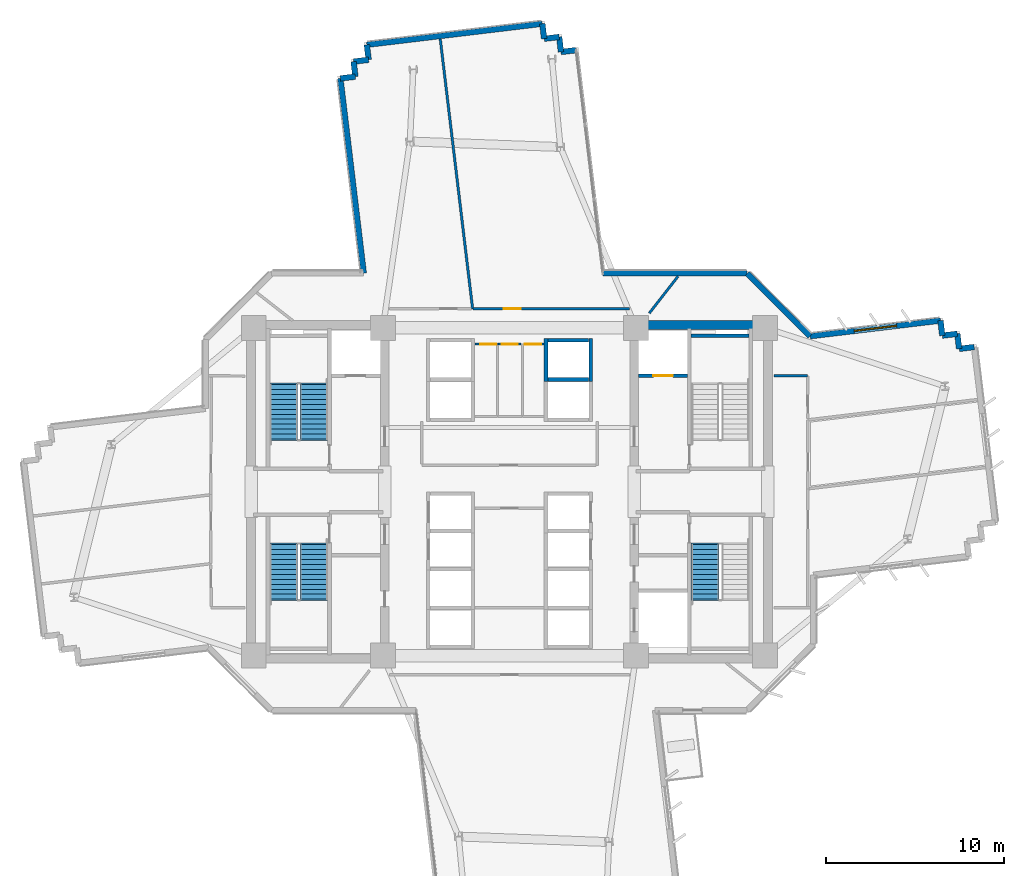
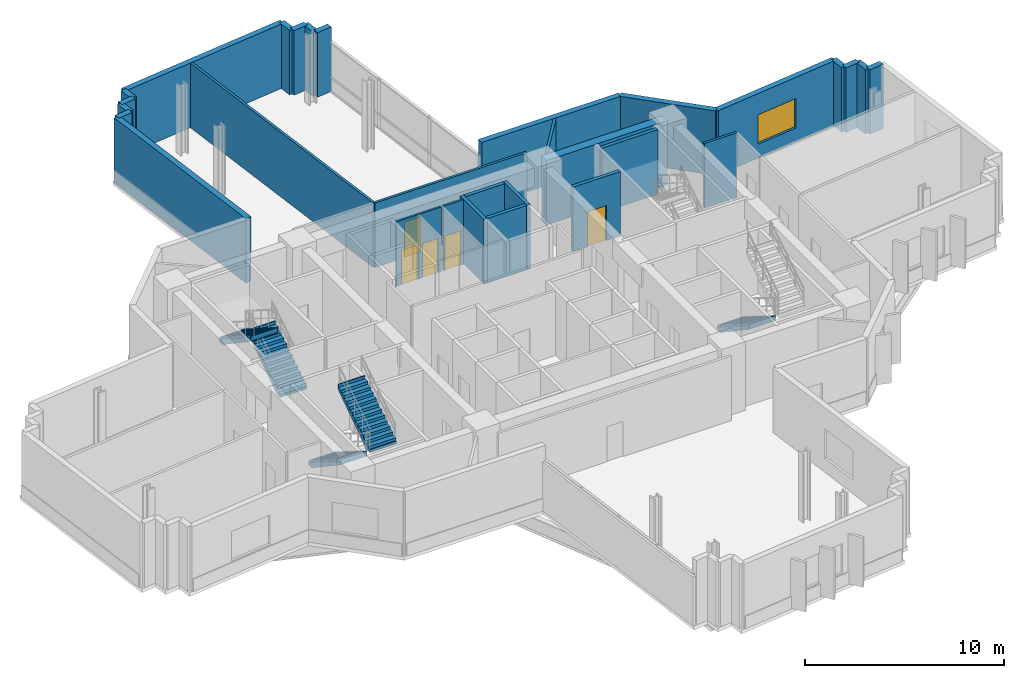
# One storey, part 9 of 15: 31 walls, 5 doors, 5 stair flights, 1 window, 6 openings, 3 elements without a shape of their own.
"""IFC4 building model written with IfcOpenShell, lengths in metres."""

from ifc_helpers import new_model, si_unit, direction, frame, frame_2d, origin, place, context, subcontext, project, spatial, polyline, rectangle, outline, extrude, source, transform, mapped, material, layer, layer_set, type_object, element, fill, aggregate, save


model = new_model("IFC4")

# Units and contexts
model_context = context("Model", 3, precision=1e-05, world=origin(), true_north=direction((0.0, 1.0)))
body_context = subcontext(model_context, "Body", "Model", "MODEL_VIEW")
ifc_project = project(units=[si_unit("LENGTHUNIT", "METRE"), si_unit("AREAUNIT", "SQUARE_METRE"), si_unit("VOLUMEUNIT", "CUBIC_METRE"), si_unit("PLANEANGLEUNIT", "RADIAN"), si_unit("MASSUNIT", "GRAM", prefix="KILO")], contexts=[model_context])

# Site, building, storey
site_placement = place(None, origin())
site = spatial("IfcSite", under=ifc_project, at=site_placement, CompositionType="ELEMENT")
building_placement = place(site_placement, origin())
building = spatial("IfcBuilding", under=site, at=building_placement, Name="Zahravan Cultural Tower", CompositionType="ELEMENT")
storey_placement = place(building_placement, frame((0.0, 0.0, 108.89990234375)))
storey = spatial("IfcBuildingStorey", under=building, at=storey_placement, Name="L24", CompositionType="ELEMENT", Elevation=108.89990234375)

# Wall, opening, window
ifc_material_1 = material(Name="Precast concrete C40/50", Category="concrete")
ifc_layer_1 = layer(ifc_material_1, 0.320068359375)
ifc_layer_set_1 = layer_set([ifc_layer_1], Name="Precast concrete C40/50")
wall_type_1 = type_object("IfcWallType", Name="EW-TC-320", PredefinedType="SOLIDWALL", material=ifc_layer_set_1)
wall_1_placement = place(storey_placement, frame((52.87060546875, 35.7314453125, 0.0), z_axis=(0.0, 0.0, 1.0), x_axis=(0.992882794037, 0.119095580547, 0.0)))
wall_1 = element("IfcWall", 1, at=wall_1_placement, inside=storey, type_object=wall_type_1, Name="L24 Exterior Masonry Frame Wall 01", PredefinedType="SOLIDWALL", context=body_context, shape_type="SweptSolid", body=[
    extrude(rectangle(XDim=7.36962890625, YDim=0.320068359375, at=frame_2d((3.684814453125, 0.0))), origin(), (0.0, 0.0, 1.0), 3.9501953125),
])
opening_1_placement = place(wall_1_placement, frame((2.485107421875, 0.0, 0.85009765625)))
opening_1 = element("IfcOpeningElement", 2, at=opening_1_placement, cuts=wall_1, Name="Opening WN-01", PredefinedType="OPENING", context=body_context, shape_type="SweptSolid", body=[
    extrude(rectangle(XDim=2.39990234375, YDim=1.800048828125, at=frame_2d((1.199951171875, 0.89990234375))), frame((0.0, 0.169921875, 0.0), z_axis=(0.0, -1.0, 0.0), x_axis=(1.0, 0.0, 0.0)), (0.0, 0.0, 1.0), 0.340087890625),
])
ifc_material_2 = material(Name="Low-E solar-control double glazing", Category="glass")
window_type = type_object("IfcWindowType", Name="WN-REC-2400X1800", PartitioningType="DOUBLE_PANEL_VERTICAL", PredefinedType="WINDOW", material=ifc_material_2)
shared_shape_1 = source(origin(), body_context, "Body", "SweptSolid", [
    extrude(rectangle(XDim=2.39990234375, YDim=1.800048828125, at=frame_2d((1.199951171875, 0.89990234375))), frame((0.0, 0.030029296875, 0.0), z_axis=(0.0, -1.0, 0.0), x_axis=(1.0, 0.0, 0.0)), (0.0, 0.0, 1.0), 0.06005859375),
])
window_placement = place(opening_1_placement, origin())
window = element("IfcWindow", 3, at=window_placement, inside=storey, type_object=window_type, Name="L24 Recessed Solar Window 01", OverallHeight=1.800048828125, OverallWidth=2.39990234375, PartitioningType="DOUBLE_PANEL_VERTICAL", PredefinedType="WINDOW", context=body_context, shape_type="MappedRepresentation", body=[
    mapped(shared_shape_1, transform((0.0, 0.0, 0.0), x_axis=(1.0, 0.0, 0.0), y_axis=(0.0, 1.0, 0.0), z_axis=(0.0, 0.0, 1.0), scale=1.0)),
])
fill(opening_1, window)

# Wall, opening, door
ifc_material_3 = material(Name="Gypsum plasterboard partition")
ifc_layer_2 = layer(ifc_material_3, 0.139892578125)
ifc_layer_set_2 = layer_set([ifc_layer_2], Name="Gypsum plasterboard partition")
wall_type_2 = type_object("IfcWallType", Name="W-PART-140", PredefinedType="PARTITIONING", material=ifc_layer_set_2)
wall_2_placement = place(storey_placement, frame((42.742431640625, 37.259765625, 0.0), z_axis=(0.0, 0.0, 1.0), x_axis=(-0.999999999614, 2.7778549e-05, 0.0)))
wall_2 = element("IfcWall", 4, at=wall_2_placement, inside=storey, type_object=wall_type_2, Name="L24 Interior Wall 099", PredefinedType="PARTITIONING", context=body_context, shape_type="SweptSolid", body=[
    extrude(rectangle(XDim=8.788818359375, YDim=0.139892578125, at=frame_2d((4.39453125, 0.0))), origin(), (0.0, 0.0, 1.0), 3.9501953125),
])
opening_2_placement = place(wall_2_placement, frame((6.1142578125, 0.0, 0.0)))
opening_2 = element("IfcOpeningElement", 5, at=opening_2_placement, cuts=wall_2, Name="Opening D-L24-19", PredefinedType="OPENING", context=body_context, shape_type="SweptSolid", body=[
    extrude(rectangle(XDim=0.949951171875, YDim=2.14990234375, at=frame_2d((0.47509765625, 1.074951171875))), frame((0.0, 0.079833984375, 0.0), z_axis=(0.0, -1.0, 0.0), x_axis=(1.0, 0.0, 0.0)), (0.0, 0.0, 1.0), 0.159912109375),
])
ifc_material_4 = material(Name="Anodised bronze-aluminium mullion", Category="aluminium")
door_type_1 = type_object("IfcDoorType", Name="DR-ROOM-950", OperationType="NOTDEFINED", PredefinedType="DOOR", material=ifc_material_4)
shared_shape_2 = source(origin(), body_context, "Body", "SweptSolid", [
    extrude(rectangle(XDim=0.949951171875, YDim=2.14990234375, at=frame_2d((0.47509765625, 1.074951171875))), frame((0.0, 0.02490234375, 0.0), z_axis=(0.0, -1.0, 0.0), x_axis=(1.0, 0.0, 0.0)), (0.0, 0.0, 1.0), 0.050048828125),
])
door_1_placement = place(opening_2_placement, origin())
door_1 = element("IfcDoor", 6, at=door_1_placement, inside=storey, type_object=door_type_1, Name="L24 Door D-L24-19", OperationType="SINGLE_SWING_RIGHT", OverallHeight=2.14990234375, OverallWidth=0.949951171875, PredefinedType="DOOR", context=body_context, shape_type="MappedRepresentation", body=[
    mapped(shared_shape_2, transform((0.0, 0.0, 0.0), x_axis=(1.0, 0.0, 0.0), y_axis=(0.0, 1.0, 0.0), z_axis=(0.0, 0.0, 1.0), scale=1.0)),
])
fill(opening_2, door_1)

ifc_material_5 = material(Name="Concrete C45/55", Category="concrete")
ifc_layer_3 = layer(ifc_material_5, 0.199951171875)
ifc_layer_set_3 = layer_set([ifc_layer_3], Name="Concrete C45/55")
wall_type_3 = type_object("IfcWallType", Name="W-SHAFT-200", PredefinedType="SOLIDWALL", material=ifc_layer_set_3)
wall_3_placement = place(storey_placement, frame((43.25, 33.52001953125, 0.0), z_axis=(0.0, 0.0, 1.0), x_axis=(1.0, 0.0, 0.0)))
wall_3 = element("IfcWall", 7, at=wall_3_placement, inside=storey, type_object=wall_type_3, Name="L24 Interior Wall 022", PredefinedType="SOLIDWALL", context=body_context, shape_type="SweptSolid", body=[
    extrude(rectangle(XDim=2.75, YDim=0.199951171875, at=frame_2d((1.375, 0.0))), origin(), (0.0, 0.0, 1.0), 3.9501953125),
])
opening_3_placement = place(wall_3_placement, frame((0.820068359375, 0.0, 0.0)))
opening_3 = element("IfcOpeningElement", 8, at=opening_3_placement, cuts=wall_3, Name="Opening LD-L24-02", PredefinedType="OPENING", context=body_context, shape_type="SweptSolid", body=[
    extrude(rectangle(XDim=1.10009765625, YDim=2.14990234375, at=frame_2d((0.550048828125, 1.074951171875))), frame((0.0, 0.10986328125, 0.0), z_axis=(0.0, -1.0, 0.0), x_axis=(1.0, 0.0, 0.0)), (0.0, 0.0, 1.0), 0.219970703125),
])
ifc_material_6 = material(Name="Steel ASTM A572 Grade 50", Category="steel")
door_type_2 = type_object("IfcDoorType", Name="DR-LIFT-1100", OperationType="DOUBLE_DOOR_SLIDING", PredefinedType="DOOR", material=ifc_material_6)
shared_shape_3 = source(origin(), body_context, "Body", "SweptSolid", [
    extrude(rectangle(XDim=1.10009765625, YDim=2.14990234375, at=frame_2d((0.550048828125, 1.074951171875))), frame((0.0, 0.02490234375, 0.0), z_axis=(0.0, -1.0, 0.0), x_axis=(1.0, 0.0, 0.0)), (0.0, 0.0, 1.0), 0.050048828125),
])
door_2_placement = place(opening_3_placement, origin())
door_2 = element("IfcDoor", 9, at=door_2_placement, inside=storey, type_object=door_type_2, Name="L24 Door LD-L24-02", OperationType="DOUBLE_DOOR_SLIDING", OverallHeight=2.14990234375, OverallWidth=1.10009765625, PredefinedType="DOOR", context=body_context, shape_type="MappedRepresentation", body=[
    mapped(shared_shape_3, transform((0.0, 0.0, 0.0), x_axis=(1.0, 0.0, 0.0), y_axis=(0.0, 1.0, 0.0), z_axis=(0.0, 0.0, 1.0), scale=1.0)),
])
fill(opening_3, door_2)

ifc_layer_4 = layer(ifc_material_3, 0.114990234375)
ifc_layer_set_4 = layer_set([ifc_layer_4], Name="Gypsum plasterboard partition")
wall_type_4 = type_object("IfcWallType", Name="W-WC-115", PredefinedType="PARTITIONING", material=ifc_layer_set_4)
wall_4_placement = place(storey_placement, frame((36.782470703125, 35.280029296875, 0.0), z_axis=(0.0, 0.0, 1.0), x_axis=(1.0, 0.0, 0.0)))
wall_4 = element("IfcWall", 10, at=wall_4_placement, inside=storey, type_object=wall_type_4, Name="L24 Interior Wall 068", PredefinedType="PARTITIONING", context=body_context, shape_type="SweptSolid", body=[
    extrude(rectangle(XDim=1.16259765625, YDim=0.114990234375, at=frame_2d((0.581298828125, 0.0))), origin(), (0.0, 0.0, 1.0), 3.9501953125),
])
opening_4_placement = place(wall_4_placement, frame((0.0888671875, 0.0, 0.0)))
opening_4 = element("IfcOpeningElement", 11, at=opening_4_placement, cuts=wall_4, Name="Opening D-L24-13", PredefinedType="OPENING", context=body_context, shape_type="SweptSolid", body=[
    extrude(rectangle(XDim=0.89990234375, YDim=2.10009765625, at=frame_2d((0.449951171875, 1.050048828125))), frame((0.0, 0.0673828125, 0.0), z_axis=(0.0, -1.0, 0.0), x_axis=(1.0, 0.0, 0.0)), (0.0, 0.0, 1.0), 0.135009765625),
])
door_type_3 = type_object("IfcDoorType", Name="DR-WC-900", OperationType="NOTDEFINED", PredefinedType="DOOR", material=ifc_material_4)
shared_shape_4 = source(origin(), body_context, "Body", "SweptSolid", [
    extrude(rectangle(XDim=0.89990234375, YDim=2.10009765625, at=frame_2d((0.449951171875, 1.050048828125))), frame((0.0, 0.02490234375, 0.0), z_axis=(0.0, -1.0, 0.0), x_axis=(1.0, 0.0, 0.0)), (0.0, 0.0, 1.0), 0.050048828125),
])
door_3_placement = place(opening_4_placement, origin())
door_3 = element("IfcDoor", 12, at=door_3_placement, inside=storey, type_object=door_type_3, Name="L24 Door D-L24-13", OperationType="SINGLE_SWING_RIGHT", OverallHeight=2.10009765625, OverallWidth=0.89990234375, PredefinedType="DOOR", context=body_context, shape_type="MappedRepresentation", body=[
    mapped(shared_shape_4, transform((0.0, 0.0, 0.0), x_axis=(1.0, 0.0, 0.0), y_axis=(0.0, 1.0, 0.0), z_axis=(0.0, 0.0, 1.0), scale=1.0)),
])
fill(opening_4, door_3)

wall_5_placement = place(storey_placement, frame((34.054931640625, 35.280029296875, 0.0), z_axis=(0.0, 0.0, 1.0), x_axis=(1.0, 0.0, 0.0)))
wall_5 = element("IfcWall", 13, at=wall_5_placement, inside=storey, type_object=wall_type_4, Name="L24 Interior Wall 070", PredefinedType="PARTITIONING", context=body_context, shape_type="SweptSolid", body=[
    extrude(rectangle(XDim=1.28515625, YDim=0.114990234375, at=frame_2d((0.642578125, 0.0))), origin(), (0.0, 0.0, 1.0), 3.9501953125),
])
opening_5_placement = place(wall_5_placement, frame((0.30029296875, 0.0, 0.0)))
opening_5 = element("IfcOpeningElement", 14, at=opening_5_placement, cuts=wall_5, Name="Opening D-L24-11", PredefinedType="OPENING", context=body_context, shape_type="SweptSolid", body=[
    extrude(rectangle(XDim=0.89990234375, YDim=2.10009765625, at=frame_2d((0.449951171875, 1.050048828125))), frame((0.0, 0.0673828125, 0.0), z_axis=(0.0, -1.0, 0.0), x_axis=(1.0, 0.0, 0.0)), (0.0, 0.0, 1.0), 0.135009765625),
])
door_4_placement = place(opening_5_placement, origin())
door_4 = element("IfcDoor", 15, at=door_4_placement, inside=storey, type_object=door_type_3, Name="L24 Door D-L24-11", OperationType="SINGLE_SWING_RIGHT", OverallHeight=2.10009765625, OverallWidth=0.89990234375, PredefinedType="DOOR", context=body_context, shape_type="MappedRepresentation", body=[
    mapped(shared_shape_4, transform((0.0, 0.0, 0.0), x_axis=(1.0, 0.0, 0.0), y_axis=(0.0, 1.0, 0.0), z_axis=(0.0, 0.0, 1.0), scale=1.0)),
])
fill(opening_5, door_4)

wall_6_placement = place(storey_placement, frame((35.360107421875, 35.280029296875, 0.0), z_axis=(0.0, 0.0, 1.0), x_axis=(1.0, 0.0, 0.0)))
wall_6 = element("IfcWall", 16, at=wall_6_placement, inside=storey, type_object=wall_type_4, Name="L24 Interior Wall 073", PredefinedType="PARTITIONING", context=body_context, shape_type="SweptSolid", body=[
    extrude(rectangle(XDim=1.29736328125, YDim=0.114990234375, at=frame_2d((0.648681640625, 0.0))), origin(), (0.0, 0.0, 1.0), 3.9501953125),
])
opening_6_placement = place(wall_6_placement, frame((0.19873046875, 0.0, 0.0)))
opening_6 = element("IfcOpeningElement", 17, at=opening_6_placement, cuts=wall_6, Name="Opening D-L24-12", PredefinedType="OPENING", context=body_context, shape_type="SweptSolid", body=[
    extrude(rectangle(XDim=0.89990234375, YDim=2.10009765625, at=frame_2d((0.449951171875, 1.050048828125))), frame((0.0, 0.0673828125, 0.0), z_axis=(0.0, -1.0, 0.0), x_axis=(1.0, 0.0, 0.0)), (0.0, 0.0, 1.0), 0.135009765625),
])
door_5_placement = place(opening_6_placement, origin())
door_5 = element("IfcDoor", 18, at=door_5_placement, inside=storey, type_object=door_type_3, Name="L24 Door D-L24-12", OperationType="SINGLE_SWING_LEFT", OverallHeight=2.10009765625, OverallWidth=0.89990234375, PredefinedType="DOOR", context=body_context, shape_type="MappedRepresentation", body=[
    mapped(shared_shape_4, transform((0.0, 0.0, 0.0), x_axis=(1.0, 0.0, 0.0), y_axis=(0.0, 1.0, 0.0), z_axis=(0.0, 0.0, 1.0), scale=1.0)),
])
fill(opening_6, door_5)

# Walls
ifc_material_7 = material(Name="Concrete C60/75", Category="concrete")
ifc_layer_5 = layer(ifc_material_7, 0.5)
ifc_layer_set_5 = layer_set([ifc_layer_5], Name="Concrete C60/75")
wall_type_5 = type_object("IfcWallType", Name="CW-SHEAR-500-C60", PredefinedType="SHEAR", material=ifc_layer_set_5)
shared_shape_5 = source(origin(), body_context, "Body", "SweptSolid", [
    extrude(rectangle(XDim=7.0, YDim=0.5, at=frame_2d((3.5, 0.0))), origin(), (0.0, 0.0, 1.0), 3.9501953125),
])
wall_7_placement = place(storey_placement, frame((43.25, 36.35009765625, 0.0), z_axis=(0.0, 0.0, 1.0), x_axis=(1.0, 0.0, 0.0)))
element("IfcWall", 19, at=wall_7_placement, inside=storey, type_object=wall_type_5, Name="L24 Core Shear Wall CW-E-N-L24", PredefinedType="SHEAR", context=body_context, shape_type="MappedRepresentation", body=[
    mapped(shared_shape_5, transform((0.0, 0.0, 0.0), x_axis=(1.0, 0.0, 0.0), y_axis=(0.0, 1.0, 0.0), z_axis=(0.0, 0.0, 1.0), scale=1.0)),
])
shared_shape_6 = source(origin(), body_context, "Body", "SweptSolid", [
    extrude(rectangle(XDim=0.85009765625, YDim=0.320068359375, at=frame_2d((0.425048828125, 0.0))), origin(), (0.0, 0.0, 1.0), 3.9501953125),
])
for number, where, z_axis, x_axis, name in (
    (20, (60.187744140625, 36.609130859375, 0.0), (0.0, 0.0, 1.0), (0.119190521137, -0.992871401376, 0.0), "L24 Exterior Masonry Frame Wall 02"),
    (21, (60.2890625, 35.76513671875, 0.0), (0.0, 0.0, 1.0), (0.992905350382, 0.118907380694, 0.0), "L24 Exterior Masonry Frame Wall 03"),
    (22, (61.234130859375, 35.0224609375, 0.0), (0.0, 0.0, 1.0), (0.992905350382, 0.118907380694, 0.0), "L24 Exterior Masonry Frame Wall 05"),
    (23, (26.510009765625, 50.19482421875, 0.0), (0.0, 0.0, 1.0), (0.992871401376, 0.119190521137, 0.0), "L24 Exterior Masonry Frame Wall 42"),
    (24, (27.35400390625, 50.296142578125, 0.0), (0.0, 0.0, 1.0), (-0.119190521137, 0.992871401376, 0.0), "L24 Exterior Masonry Frame Wall 43"),
    (25, (27.252685546875, 51.14013671875, 0.0), (0.0, 0.0, 1.0), (0.992905350382, 0.118907380694, 0.0), "L24 Exterior Masonry Frame Wall 44"),
    (26, (28.0966796875, 51.2412109375, 0.0), (0.0, 0.0, 1.0), (-0.118907380694, 0.992905350382, 0.0), "L24 Exterior Masonry Frame Wall 45"),
    (27, (37.844970703125, 53.2666015625, 0.0), (0.0, 0.0, 1.0), (0.118907380694, -0.992905350382, 0.0), "L24 Exterior Masonry Frame Wall 47"),
    (28, (37.946044921875, 52.422607421875, 0.0), (0.0, 0.0, 1.0), (0.992871401376, 0.119190521137, 0.0), "L24 Exterior Masonry Frame Wall 48"),
    (29, (38.7900390625, 52.52392578125, 0.0), (0.0, 0.0, 1.0), (0.119190521137, -0.992871401376, 0.0), "L24 Exterior Masonry Frame Wall 49"),
):
    element("IfcWall", number, at=place(storey_placement, frame(where, z_axis=z_axis, x_axis=x_axis)), inside=storey, type_object=wall_type_1, Name=name, PredefinedType="SOLIDWALL", context=body_context, shape_type="MappedRepresentation", body=[
        mapped(shared_shape_6, transform((0.0, 0.0, 0.0), x_axis=(1.0, 0.0, 0.0), y_axis=(0.0, 1.0, 0.0), z_axis=(0.0, 0.0, 1.0), scale=1.0)),
    ])
shared_shape_7 = source(origin(), body_context, "Body", "SweptSolid", [
    extrude(rectangle(XDim=0.849853515625, YDim=0.320068359375, at=frame_2d((0.4248046875, 0.0))), origin(), (0.0, 0.0, 1.0), 3.9501953125),
])
for number, where, z_axis, x_axis, name in (
    (30, (61.133056640625, 35.8662109375, 0.0), (0.0, 0.0, 1.0), (0.11894130009, -0.992901287708, 0.0), "L24 Exterior Masonry Frame Wall 04"),
    (31, (38.891357421875, 51.679931640625, 0.0), (0.0, 0.0, 1.0), (0.992867319472, 0.119224518976, 0.0), "L24 Exterior Masonry Frame Wall 50"),
):
    element("IfcWall", number, at=place(storey_placement, frame(where, z_axis=z_axis, x_axis=x_axis)), inside=storey, type_object=wall_type_1, Name=name, PredefinedType="SOLIDWALL", context=body_context, shape_type="MappedRepresentation", body=[
        mapped(shared_shape_7, transform((0.0, 0.0, 0.0), x_axis=(1.0, 0.0, 0.0), y_axis=(0.0, 1.0, 0.0), z_axis=(0.0, 0.0, 1.0), scale=1.0)),
    ])
shared_shape_8 = source(origin(), body_context, "Body", "SweptSolid", [
    extrude(rectangle(XDim=9.919921875, YDim=0.320068359375, at=frame_2d((4.9599609375, 0.0))), origin(), (0.0, 0.0, 1.0), 3.9501953125),
])
wall_8_placement = place(storey_placement, frame((27.99560546875, 52.085205078125, 0.0), z_axis=(0.0, 0.0, 1.0), x_axis=(0.992883125729, 0.119092815244, 0.0)))
element("IfcWall", 32, at=wall_8_placement, inside=storey, type_object=wall_type_1, Name="L24 Exterior Masonry Frame Wall 46", PredefinedType="SOLIDWALL", context=body_context, shape_type="MappedRepresentation", body=[
    mapped(shared_shape_8, transform((0.0, 0.0, 0.0), x_axis=(1.0, 0.0, 0.0), y_axis=(0.0, 1.0, 0.0), z_axis=(0.0, 0.0, 1.0), scale=1.0)),
])
shared_shape_9 = source(origin(), body_context, "Body", "SweptSolid", [
    extrude(rectangle(XDim=8.10498046875, YDim=0.320068359375, at=frame_2d((4.052490234375, 0.0))), origin(), (0.0, 0.0, 1.0), 3.9501953125),
])
wall_9_placement = place(storey_placement, frame((41.237060546875, 39.260009765625, 0.0), z_axis=(0.0, 0.0, 1.0), x_axis=(1.0, 0.0, 0.0)))
element("IfcWall", 33, at=wall_9_placement, inside=storey, type_object=wall_type_1, Name="L24 Exterior Masonry Frame Wall 51", PredefinedType="SOLIDWALL", context=body_context, shape_type="MappedRepresentation", body=[
    mapped(shared_shape_9, transform((0.0, 0.0, 0.0), x_axis=(1.0, 0.0, 0.0), y_axis=(0.0, 1.0, 0.0), z_axis=(0.0, 0.0, 1.0), scale=1.0)),
])
shared_shape_10 = source(origin(), body_context, "Body", "SweptSolid", [
    extrude(rectangle(XDim=11.01318359375, YDim=0.320068359375, at=frame_2d((5.506591796875, 0.0))), origin(), (0.0, 0.0, 1.0), 3.9501953125),
])
wall_10_placement = place(storey_placement, frame((27.821533203125, 39.260009765625, 0.0), z_axis=(0.0, 0.0, 1.0), x_axis=(-0.119086653457, 0.992883864794, 0.0)))
element("IfcWall", 34, at=wall_10_placement, inside=storey, type_object=wall_type_1, Name="L24 Exterior Masonry Frame Wall 41", PredefinedType="SOLIDWALL", context=body_context, shape_type="MappedRepresentation", body=[
    mapped(shared_shape_10, transform((0.0, 0.0, 0.0), x_axis=(1.0, 0.0, 0.0), y_axis=(0.0, 1.0, 0.0), z_axis=(0.0, 0.0, 1.0), scale=1.0)),
])
shared_shape_11 = source(origin(), body_context, "Body", "SweptSolid", [
    extrude(rectangle(XDim=4.990234375, YDim=0.320068359375, at=frame_2d((2.4951171875, 0.0))), origin(), (0.0, 0.0, 1.0), 3.9501953125),
])
wall_11_placement = place(storey_placement, frame((49.342041015625, 39.260009765625, 0.0), z_axis=(0.0, 0.0, 1.0), x_axis=(0.707106781187, -0.707106781187, 0.0)))
element("IfcWall", 35, at=wall_11_placement, inside=storey, type_object=wall_type_1, Name="L24 Exterior Masonry Frame Wall 52", PredefinedType="SOLIDWALL", context=body_context, shape_type="MappedRepresentation", body=[
    mapped(shared_shape_11, transform((0.0, 0.0, 0.0), x_axis=(1.0, 0.0, 0.0), y_axis=(0.0, 1.0, 0.0), z_axis=(0.0, 0.0, 1.0), scale=1.0)),
])
shared_shape_12 = source(origin(), body_context, "Body", "SweptSolid", [
    extrude(rectangle(XDim=3.25, YDim=0.199951171875, at=frame_2d((1.625, 0.0))), origin(), (0.0, 0.0, 1.0), 3.9501953125),
])
wall_12_placement = place(storey_placement, frame((46.199951171875, 35.75, 0.0), z_axis=(0.0, 0.0, 1.0), x_axis=(1.0, 0.0, 0.0)))
element("IfcWall", 36, at=wall_12_placement, inside=storey, type_object=wall_type_3, Name="L24 Interior Wall 018", PredefinedType="SOLIDWALL", context=body_context, shape_type="MappedRepresentation", body=[
    mapped(shared_shape_12, transform((0.0, 0.0, 0.0), x_axis=(1.0, 0.0, 0.0), y_axis=(0.0, 1.0, 0.0), z_axis=(0.0, 0.0, 1.0), scale=1.0)),
])
shared_shape_13 = source(origin(), body_context, "Body", "SweptSolid", [
    extrude(rectangle(XDim=2.400146484375, YDim=0.199951171875, at=frame_2d((1.2001953125, 0.0))), origin(), (0.0, 0.0, 1.0), 3.9501953125),
])
for number, where, z_axis, x_axis, name in (
    (37, (38.050048828125, 33.199951171875, 0.0), (0.0, 0.0, 1.0), (0.0, 1.0, 0.0), "L24 Interior Wall 033"),
    (38, (40.550048828125, 33.199951171875, 0.0), (0.0, 0.0, 1.0), (0.0, 1.0, 0.0), "L24 Interior Wall 034"),
):
    element("IfcWall", number, at=place(storey_placement, frame(where, z_axis=z_axis, x_axis=x_axis)), inside=storey, type_object=wall_type_3, Name=name, PredefinedType="SOLIDWALL", context=body_context, shape_type="MappedRepresentation", body=[
        mapped(shared_shape_13, transform((0.0, 0.0, 0.0), x_axis=(1.0, 0.0, 0.0), y_axis=(0.0, 1.0, 0.0), z_axis=(0.0, 0.0, 1.0), scale=1.0)),
    ])
shared_shape_14 = source(origin(), body_context, "Body", "SweptSolid", [
    extrude(rectangle(XDim=2.260009765625, YDim=0.199951171875, at=frame_2d((1.1298828125, 0.0))), origin(), (0.0, 0.0, 1.0), 3.9501953125),
])
for number, where, z_axis, x_axis, name in (
    (39, (38.169921875, 33.300048828125, 0.0), (0.0, 0.0, 1.0), (1.0, 0.0, 0.0), "L24 Interior Wall 035"),
    (40, (38.169921875, 35.5, 0.0), (0.0, 0.0, 1.0), (1.0, 0.0, 0.0), "L24 Interior Wall 036"),
):
    element("IfcWall", number, at=place(storey_placement, frame(where, z_axis=z_axis, x_axis=x_axis)), inside=storey, type_object=wall_type_3, Name=name, PredefinedType="SOLIDWALL", context=body_context, shape_type="MappedRepresentation", body=[
        mapped(shared_shape_14, transform((0.0, 0.0, 0.0), x_axis=(1.0, 0.0, 0.0), y_axis=(0.0, 1.0, 0.0), z_axis=(0.0, 0.0, 1.0), scale=1.0)),
    ])
shared_shape_15 = source(origin(), body_context, "Body", "SweptSolid", [
    extrude(rectangle(XDim=2.62939453125, YDim=0.139892578125, at=frame_2d((1.314697265625, 0.0))), origin(), (0.0, 0.0, 1.0), 3.9501953125),
])
wall_13_placement = place(storey_placement, frame((43.84619140625, 37.02001953125, 0.0), z_axis=(0.0, 0.0, 1.0), x_axis=(0.614210560268, 0.789142184689, 0.0)))
element("IfcWall", 41, at=wall_13_placement, inside=storey, type_object=wall_type_2, Name="L24 Interior Wall 091", PredefinedType="PARTITIONING", context=body_context, shape_type="MappedRepresentation", body=[
    mapped(shared_shape_15, transform((0.0, 0.0, 0.0), x_axis=(1.0, 0.0, 0.0), y_axis=(0.0, 1.0, 0.0), z_axis=(0.0, 0.0, 1.0), scale=1.0)),
])
shared_shape_16 = source(origin(), body_context, "Body", "SweptSolid", [
    extrude(rectangle(XDim=1.876953125, YDim=0.139892578125, at=frame_2d((0.9384765625, 0.0))), origin(), (0.0, 0.0, 1.0), 3.9501953125),
])
wall_14_placement = place(storey_placement, frame((52.734619140625, 33.4990234375, 0.0), z_axis=(0.0, 0.0, 1.0), x_axis=(-0.999999923865, 0.000390218493, 0.0)))
element("IfcWall", 42, at=wall_14_placement, inside=storey, type_object=wall_type_2, Name="L24 Interior Wall 093", PredefinedType="PARTITIONING", context=body_context, shape_type="MappedRepresentation", body=[
    mapped(shared_shape_16, transform((0.0, 0.0, 0.0), x_axis=(1.0, 0.0, 0.0), y_axis=(0.0, 1.0, 0.0), z_axis=(0.0, 0.0, 1.0), scale=1.0)),
])
shared_shape_17 = source(origin(), body_context, "Body", "SweptSolid", [
    extrude(rectangle(XDim=15.261962890625, YDim=0.139892578125, at=frame_2d((7.630859375, 0.0))), origin(), (0.0, 0.0, 1.0), 3.9501953125),
])
wall_15_placement = place(storey_placement, frame((32.11572265625, 52.413330078125, 0.0), z_axis=(0.0, 0.0, 1.0), x_axis=(0.119095388495, -0.992882817073, 0.0)))
element("IfcWall", 43, at=wall_15_placement, inside=storey, type_object=wall_type_2, Name="L24 Interior Wall 097", PredefinedType="PARTITIONING", context=body_context, shape_type="MappedRepresentation", body=[
    mapped(shared_shape_17, transform((0.0, 0.0, 0.0), x_axis=(1.0, 0.0, 0.0), y_axis=(0.0, 1.0, 0.0), z_axis=(0.0, 0.0, 1.0), scale=1.0)),
])

# Stair, stair flights
stair_type = type_object("IfcStairType", Name="STR-DL-1550-420", PredefinedType="HALF_TURN_STAIR", material=ifc_material_5)
stair_1_placement = place(storey_placement, origin())
stair_1 = element("IfcStair", 44, at=stair_1_placement, inside=storey, type_object=stair_type, Name="L24 West Core North Exit Stair ST-W1", PredefinedType="HALF_TURN_STAIR")
stair_flight_type = type_object("IfcStairFlightType", Name="FLG-DL-1550-420", PredefinedType="STRAIGHT", material=ifc_material_5)
stair_flight_1_placement = place(storey_placement, frame((25.02490234375, 29.949951171875, 0.0), z_axis=(0.0, 0.0, 1.0), x_axis=(0.0, 1.0, 0.0)))
stair_flight_1 = element("IfcStairFlight", 45, at=stair_flight_1_placement, type_object=stair_flight_type, Name="ST-W1 flight 1", NumberOfRisers=12, NumberOfTreads=11, PredefinedType="STRAIGHT", RiserHeight=0.175, TreadLength=0.28, context=body_context, shape_type="SweptSolid", body=[
    extrude(outline(polyline([(-0.06494140625, -0.139892578125), (-0.06494140625, 0.0), (0.0, 0.0), (0.0, 0.175048828125), (0.280029296875, 0.175048828125), (0.280029296875, 0.35009765625), (0.56005859375, 0.35009765625), (0.56005859375, 0.52490234375), (0.840087890625, 0.52490234375), (0.840087890625, 0.699951171875), (1.1201171875, 0.699951171875), (1.1201171875, 0.875), (1.39990234375, 0.875), (1.39990234375, 1.050048828125), (1.679931640625, 1.050048828125), (1.679931640625, 1.22509765625), (1.9599609375, 1.22509765625), (1.9599609375, 1.39990234375), (2.239990234375, 1.39990234375), (2.239990234375, 1.574951171875), (2.52001953125, 1.574951171875), (2.52001953125, 1.75), (2.800048828125, 1.75), (2.800048828125, 1.925048828125), (3.080078125, 1.925048828125), (3.080078125, 2.10009765625), (3.14501953125, 2.10009765625), (3.14501953125, 1.9501953125), (3.080078125, 1.748291015625), (0.28271484375, -0.139892578125), (-0.06494140625, -0.139892578125)])), frame((0.0, 0.77490234375, 0.0), z_axis=(0.0, -1.0, 0.0), x_axis=(1.0, 0.0, 0.0)), (0.0, 0.0, 1.0), 1.550048828125),
])
stair_flight_2_placement = place(storey_placement, frame((23.324951171875, 33.030029296875, 2.10009765625), z_axis=(0.0, 0.0, 1.0), x_axis=(0.0, -1.0, 0.0)))
stair_flight_2 = element("IfcStairFlight", 46, at=stair_flight_2_placement, type_object=stair_flight_type, Name="ST-W1 flight 2", NumberOfRisers=12, NumberOfTreads=11, PredefinedType="STRAIGHT", RiserHeight=0.175, TreadLength=0.28, context=body_context, shape_type="SweptSolid", body=[
    extrude(outline(polyline([(-0.06494140625, -0.139892578125), (-0.06494140625, 0.0), (0.0, 0.0), (0.0, 0.175048828125), (0.280029296875, 0.175048828125), (0.280029296875, 0.35009765625), (0.56005859375, 0.35009765625), (0.56005859375, 0.52490234375), (0.840087890625, 0.52490234375), (0.840087890625, 0.699951171875), (1.1201171875, 0.699951171875), (1.1201171875, 0.875), (1.39990234375, 0.875), (1.39990234375, 1.050048828125), (1.679931640625, 1.050048828125), (1.679931640625, 1.22509765625), (1.9599609375, 1.22509765625), (1.9599609375, 1.39990234375), (2.239990234375, 1.39990234375), (2.239990234375, 1.574951171875), (2.52001953125, 1.574951171875), (2.52001953125, 1.75), (2.800048828125, 1.75), (2.800048828125, 1.925048828125), (3.080078125, 1.925048828125), (3.080078125, 2.10009765625), (3.14501953125, 2.10009765625), (3.14501953125, 1.9501953125), (3.080078125, 1.748291015625), (0.28271484375, -0.139892578125), (-0.06494140625, -0.139892578125)])), frame((0.0, 0.77490234375, 0.0), z_axis=(0.0, -1.0, 0.0), x_axis=(1.0, 0.0, 0.0)), (0.0, 0.0, 1.0), 1.550048828125),
])
aggregate(stair_1, [stair_flight_1, stair_flight_2])

stair_2_placement = place(storey_placement, origin())
stair_2 = element("IfcStair", 47, at=stair_2_placement, inside=storey, type_object=stair_type, Name="L24 West Core South Exit Stair ST-W2", PredefinedType="HALF_TURN_STAIR")
stair_flight_3_placement = place(storey_placement, frame((23.324951171875, 24.050048828125, 0.0), z_axis=(0.0, 0.0, 1.0), x_axis=(0.0, -1.0, 0.0)))
stair_flight_3 = element("IfcStairFlight", 48, at=stair_flight_3_placement, type_object=stair_flight_type, Name="ST-W2 flight 1", NumberOfRisers=12, NumberOfTreads=11, PredefinedType="STRAIGHT", RiserHeight=0.175, TreadLength=0.28, context=body_context, shape_type="SweptSolid", body=[
    extrude(outline(polyline([(-0.06494140625, -0.139892578125), (-0.06494140625, 0.0), (0.0, 0.0), (0.0, 0.175048828125), (0.280029296875, 0.175048828125), (0.280029296875, 0.35009765625), (0.56005859375, 0.35009765625), (0.56005859375, 0.52490234375), (0.840087890625, 0.52490234375), (0.840087890625, 0.699951171875), (1.1201171875, 0.699951171875), (1.1201171875, 0.875), (1.39990234375, 0.875), (1.39990234375, 1.050048828125), (1.679931640625, 1.050048828125), (1.679931640625, 1.22509765625), (1.9599609375, 1.22509765625), (1.9599609375, 1.39990234375), (2.239990234375, 1.39990234375), (2.239990234375, 1.574951171875), (2.52001953125, 1.574951171875), (2.52001953125, 1.75), (2.800048828125, 1.75), (2.800048828125, 1.925048828125), (3.080078125, 1.925048828125), (3.080078125, 2.10009765625), (3.14501953125, 2.10009765625), (3.14501953125, 1.9501953125), (3.080078125, 1.748291015625), (0.28271484375, -0.139892578125), (-0.06494140625, -0.139892578125)])), frame((0.0, 0.77490234375, 0.0), z_axis=(0.0, -1.0, 0.0), x_axis=(1.0, 0.0, 0.0)), (0.0, 0.0, 1.0), 1.550048828125),
])
stair_flight_4_placement = place(storey_placement, frame((25.02490234375, 20.969970703125, 2.10009765625), z_axis=(0.0, 0.0, 1.0), x_axis=(0.0, 1.0, 0.0)))
stair_flight_4 = element("IfcStairFlight", 49, at=stair_flight_4_placement, type_object=stair_flight_type, Name="ST-W2 flight 2", NumberOfRisers=12, NumberOfTreads=11, PredefinedType="STRAIGHT", RiserHeight=0.175, TreadLength=0.28, context=body_context, shape_type="SweptSolid", body=[
    extrude(outline(polyline([(-0.06494140625, -0.139892578125), (-0.06494140625, 0.0), (0.0, 0.0), (0.0, 0.175048828125), (0.280029296875, 0.175048828125), (0.280029296875, 0.35009765625), (0.56005859375, 0.35009765625), (0.56005859375, 0.52490234375), (0.840087890625, 0.52490234375), (0.840087890625, 0.699951171875), (1.1201171875, 0.699951171875), (1.1201171875, 0.875), (1.39990234375, 0.875), (1.39990234375, 1.050048828125), (1.679931640625, 1.050048828125), (1.679931640625, 1.22509765625), (1.9599609375, 1.22509765625), (1.9599609375, 1.39990234375), (2.239990234375, 1.39990234375), (2.239990234375, 1.574951171875), (2.52001953125, 1.574951171875), (2.52001953125, 1.75), (2.800048828125, 1.75), (2.800048828125, 1.925048828125), (3.080078125, 1.925048828125), (3.080078125, 2.10009765625), (3.14501953125, 2.10009765625), (3.14501953125, 1.9501953125), (3.080078125, 1.748291015625), (0.28271484375, -0.139892578125), (-0.06494140625, -0.139892578125)])), frame((0.0, 0.77490234375, 0.0), z_axis=(0.0, -1.0, 0.0), x_axis=(1.0, 0.0, 0.0)), (0.0, 0.0, 1.0), 1.550048828125),
])
aggregate(stair_2, [stair_flight_3, stair_flight_4])

# Stair, stair flight
stair_3_placement = place(storey_placement, origin())
stair_3 = element("IfcStair", 50, at=stair_3_placement, inside=storey, type_object=stair_type, Name="L24 East Core South Exit Stair ST-E2", PredefinedType="HALF_TURN_STAIR")
stair_flight_5_placement = place(storey_placement, frame((46.97509765625, 24.050048828125, 0.0), z_axis=(0.0, 0.0, 1.0), x_axis=(0.0, -1.0, 0.0)))
stair_flight_5 = element("IfcStairFlight", 51, at=stair_flight_5_placement, type_object=stair_flight_type, Name="ST-E2 flight 1", NumberOfRisers=12, NumberOfTreads=11, PredefinedType="STRAIGHT", RiserHeight=0.175, TreadLength=0.28, context=body_context, shape_type="SweptSolid", body=[
    extrude(outline(polyline([(-0.06494140625, -0.139892578125), (-0.06494140625, 0.0), (0.0, 0.0), (0.0, 0.175048828125), (0.280029296875, 0.175048828125), (0.280029296875, 0.35009765625), (0.56005859375, 0.35009765625), (0.56005859375, 0.52490234375), (0.840087890625, 0.52490234375), (0.840087890625, 0.699951171875), (1.1201171875, 0.699951171875), (1.1201171875, 0.875), (1.39990234375, 0.875), (1.39990234375, 1.050048828125), (1.679931640625, 1.050048828125), (1.679931640625, 1.22509765625), (1.9599609375, 1.22509765625), (1.9599609375, 1.39990234375), (2.239990234375, 1.39990234375), (2.239990234375, 1.574951171875), (2.52001953125, 1.574951171875), (2.52001953125, 1.75), (2.800048828125, 1.75), (2.800048828125, 1.925048828125), (3.080078125, 1.925048828125), (3.080078125, 2.10009765625), (3.14501953125, 2.10009765625), (3.14501953125, 1.9501953125), (3.080078125, 1.748291015625), (0.28271484375, -0.139892578125), (-0.06494140625, -0.139892578125)])), frame((0.0, 0.77490234375, 0.0), z_axis=(0.0, -1.0, 0.0), x_axis=(1.0, 0.0, 0.0)), (0.0, 0.0, 1.0), 1.550048828125),
])
aggregate(stair_3, [stair_flight_5])

save(model, "model.ifc")
